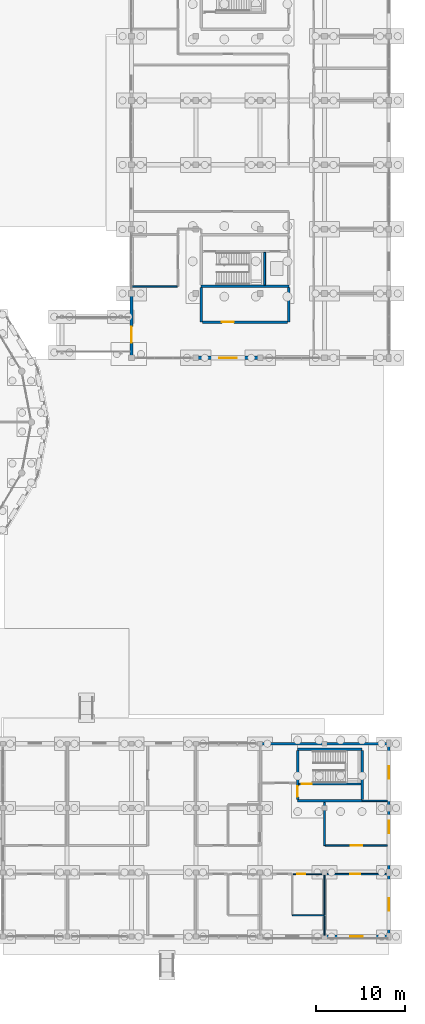
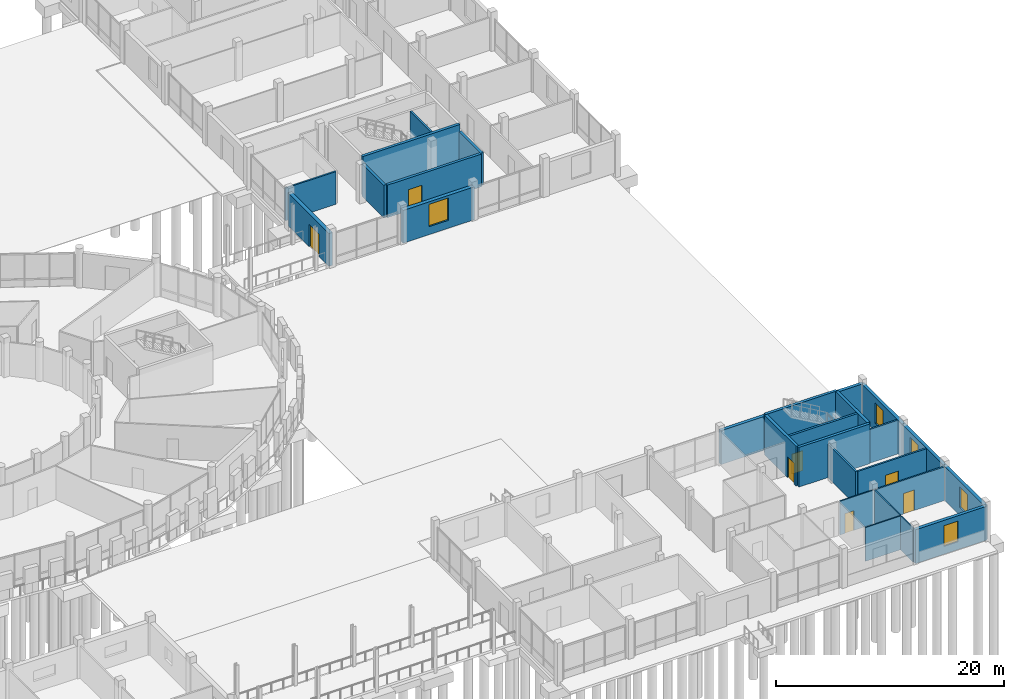
# One storey, part 83 of 98: 27 walls, 7 doors, 5 windows, 12 openings.
"""IFC4 building model written with IfcOpenShell, lengths in metres."""

import ifcopenshell
import ifcopenshell.guid

model = None  # the IFC model being written
_history = None  # IfcOwnerHistory: only IFC2X3 demands one
_inside = {}  # id of a spatial element -> (the spatial element, [elements in it])
_under = {}  # id of a project, library or spatial element -> (it, [spatial elements below it])
_declared = {}  # id of a project -> (the project, [libraries it declares])
_typed = {}  # id of a type object -> (the type object, [elements of that type])
_made_of = {}  # id of a material, layer set ... -> (it, [elements and type objects made of it])


def new_model(schema):
    """Start an empty IFC model of exactly this schema.

    Asked for "IFC4X3", IfcOpenShell would pick the latest addendum, in which some entities
    have other attributes; the version numbers below select the first issue.
    IFC2X3 requires an IfcOwnerHistory on every rooted entity: one is made here for all.
    """
    global model, _history
    if schema == "IFC4X3":
        model = ifcopenshell.file(schema_version=(4, 3, 0, 0))
    else:
        model = ifcopenshell.file(schema=schema)
    _inside.clear()
    _under.clear()
    _declared.clear()
    _typed.clear()
    _made_of.clear()
    _history = None
    if model.schema == "IFC2X3":
        org = make("IfcOrganization", Name="unknown")
        user = make(
            "IfcPersonAndOrganization",
            ThePerson=make("IfcPerson", FamilyName="unknown"),
            TheOrganization=org,
        )
        app = make(
            "IfcApplication",
            ApplicationDeveloper=org,
            Version="unknown",
            ApplicationFullName="unknown",
            ApplicationIdentifier="unknown",
        )
        _history = make(
            "IfcOwnerHistory",
            OwningUser=user,
            OwningApplication=app,
            ChangeAction="ADDED",
            CreationDate=0,
        )
    return model


def make(cls, **values):
    """One entity of the class cls with the attributes given. An attribute that is None is left unset."""
    return model.create_entity(
        cls, **{name: value for name, value in values.items() if value is not None}
    )


def rooted(cls, **values):
    """An entity with a GlobalId (a new one), such as an element, a storey or a relation."""
    return make(cls, GlobalId=ifcopenshell.guid.new(), OwnerHistory=_history, **values)


def si_unit(unit_type, name, prefix=None):
    """IfcSIUnit, for example si_unit("LENGTHUNIT", "METRE", prefix="MILLI")."""
    return make("IfcSIUnit", UnitType=unit_type, Prefix=prefix, Name=name)


def assignment(units):
    """IfcUnitAssignment: the units of a project."""
    return None if units is None else make("IfcUnitAssignment", Units=units)


def point(xyz):
    """IfcCartesianPoint."""
    return None if xyz is None else make("IfcCartesianPoint", Coordinates=xyz)


def direction(xyz):
    """IfcDirection."""
    return None if xyz is None else make("IfcDirection", DirectionRatios=xyz)


def frame(location, z_axis=None, x_axis=None):
    """IfcAxis2Placement3D, a coordinate frame: its origin and axes. An axis left out is left unset."""
    return make(
        "IfcAxis2Placement3D",
        Location=point(location),
        Axis=direction(z_axis),
        RefDirection=direction(x_axis),
    )


def frame_2d(location, x_axis=None):
    """IfcAxis2Placement2D, a coordinate frame in the plane: its origin and x axis."""
    return make(
        "IfcAxis2Placement2D", Location=point(location), RefDirection=direction(x_axis)
    )


def origin():
    """The frame at (0, 0, 0) with its axes left unset."""
    return frame((0.0, 0.0, 0.0))


def place(relative_to, where):
    """IfcLocalPlacement: puts the frame where relative to a parent placement (None: the world)."""
    return make(
        "IfcLocalPlacement", PlacementRelTo=relative_to, RelativePlacement=where
    )


def context(
    kind, dimensions, precision=None, world=None, true_north=None, identifier=None
):
    """IfcGeometricRepresentationContext, for example the 3D "Model" context."""
    return make(
        "IfcGeometricRepresentationContext",
        ContextIdentifier=identifier,
        ContextType=kind,
        CoordinateSpaceDimension=dimensions,
        Precision=precision,
        WorldCoordinateSystem=world,
        TrueNorth=true_north,
    )


def subcontext(parent, identifier, kind, view, scale=None):
    """IfcGeometricRepresentationSubContext, for example "Body" below "Model"."""
    return make(
        "IfcGeometricRepresentationSubContext",
        ContextIdentifier=identifier,
        ContextType=kind,
        ParentContext=parent,
        TargetScale=scale,
        TargetView=view,
    )


def project(units=None, contexts=None):
    """IfcProject with its units and contexts."""
    return rooted(
        "IfcProject",
        Name="project",
        RepresentationContexts=contexts,
        UnitsInContext=assignment(units),
    )


def spatial(cls, under=None, at=None, **own):
    """A site, building, storey or space (cls), placed at a placement, below another one or the project."""
    s = rooted(cls, ObjectPlacement=at, **own)
    if under is not None:
        _under.setdefault(under.id(), (under, []))[1].append(s)
    return s


def profile(cls, at=None, kind="AREA", **sizes):
    """A parametric profile (cls). Its sizes go by their IFC names, for example OverallWidth=200.0."""
    return make(cls, ProfileType=kind, Position=at, **sizes)


def rectangle(**sizes):
    """IfcRectangleProfileDef."""
    return profile("IfcRectangleProfileDef", **sizes)


def extrude(swept, where, along, depth):
    """IfcExtrudedAreaSolid: the profile swept, set in the frame where, extruded along a direction by depth."""
    return make(
        "IfcExtrudedAreaSolid",
        SweptArea=swept,
        Position=where,
        ExtrudedDirection=direction(along),
        Depth=depth,
    )


def shape(context_of_items, identifier, shape_type, items):
    """IfcShapeRepresentation: the items that make up one representation, for example the "Body"."""
    return make(
        "IfcShapeRepresentation",
        ContextOfItems=context_of_items,
        RepresentationIdentifier=identifier,
        RepresentationType=shape_type,
        Items=items,
    )


def material(Name=None, Category=None):
    """IfcMaterial."""
    return make("IfcMaterial", Name=Name, Category=Category)


def layer(
    of_material, thickness, ventilated=None, Name=None, Category=None, Priority=None
):
    """IfcMaterialLayer: one layer of a wall or slab, of a material (None: an air gap)."""
    return make(
        "IfcMaterialLayer",
        Material=of_material,
        LayerThickness=thickness,
        IsVentilated=ventilated,
        Name=Name,
        Category=Category,
        Priority=Priority,
    )


def layer_set(layers, Name=None):
    """IfcMaterialLayerSet."""
    return make("IfcMaterialLayerSet", MaterialLayers=layers, LayerSetName=Name)


def made_of(thing, what):
    """Note that an element or type object is made of a material, layer set ...; save() writes the relation."""
    if what is not None:
        _made_of.setdefault(what.id(), (what, []))[1].append(thing)
    return thing


def type_object(cls, material=None, **own):
    """A type object (cls), such as IfcWallType, which elements share."""
    return made_of(rooted(cls, **own), material)


def element(
    cls,
    number,
    at=None,
    inside=None,
    cuts=None,
    type_object=None,
    material=None,
    context=None,
    identifier="Body",
    shape_type=None,
    held_by="IfcProductDefinitionShape",
    body=None,
    shapes=None,
    **own,
):
    """One element of the class cls, such as IfcWall. Its Tag is "e" and its number.

    at: its placement. inside: the storey or other place that contains it. cuts: it is an
    opening in that element (IfcRelVoidsElement). A single representation is given by context,
    identifier, shape_type and body (its items); several are given by shapes. held_by: the class
    of the entity that holds the representations. save() writes the other relations.
    """
    e = rooted(cls, Tag="e%d" % number, ObjectPlacement=at, **own)
    if body is not None:
        shapes = [shape(context, identifier, shape_type, body)]
    if shapes is not None:
        e.Representation = make(held_by, Representations=shapes)
    if inside is not None:
        _inside.setdefault(inside.id(), (inside, []))[1].append(e)
    if cuts is not None:
        rooted(
            "IfcRelVoidsElement", RelatingBuildingElement=cuts, RelatedOpeningElement=e
        )
    if type_object is not None:
        _typed.setdefault(type_object.id(), (type_object, []))[1].append(e)
    return made_of(e, material)


def fill(opening, filler):
    """IfcRelFillsElement: the door or window that sits in an opening."""
    return rooted(
        "IfcRelFillsElement",
        RelatingOpeningElement=opening,
        RelatedBuildingElement=filler,
    )


def aggregate(whole, parts):
    """IfcRelAggregates: a whole, such as a stair, and the parts it consists of."""
    return rooted("IfcRelAggregates", RelatingObject=whole, RelatedObjects=parts)


def save(model, path):
    """Write the relations noted so far, then the file.

    IfcRelAggregates (storeys below a building ...), IfcRelContainedInSpatialStructure (elements
    in a storey), IfcRelDefinesByType, IfcRelAssociatesMaterial and IfcRelDeclares: one each for
    every whole, place, type object, material and project.
    """
    for whole, parts in _under.values():
        aggregate(whole, parts)
    for where, things in _inside.values():
        rooted(
            "IfcRelContainedInSpatialStructure",
            RelatedElements=things,
            RelatingStructure=where,
        )
    for kind, things in _typed.values():
        rooted("IfcRelDefinesByType", RelatedObjects=things, RelatingType=kind)
    for what, things in _made_of.values():
        rooted("IfcRelAssociatesMaterial", RelatedObjects=things, RelatingMaterial=what)
    for by, libraries in _declared.values():
        rooted("IfcRelDeclares", RelatingContext=by, RelatedDefinitions=libraries)
    model.write(path)


model = new_model("IFC4")

# Units and contexts
model_context = context("Model", 3, precision=1e-05, world=origin(), true_north=direction((0.0, 1.0)))
body_context = subcontext(model_context, "Body", "Model", "MODEL_VIEW")
ifc_project = project(units=[si_unit("LENGTHUNIT", "METRE"), si_unit("AREAUNIT", "SQUARE_METRE"), si_unit("VOLUMEUNIT", "CUBIC_METRE"), si_unit("PLANEANGLEUNIT", "RADIAN"), si_unit("MASSUNIT", "GRAM", prefix="KILO")], contexts=[model_context])

# Site, building, storey
site_placement = place(None, origin())
site = spatial("IfcSite", under=ifc_project, at=site_placement, CompositionType="ELEMENT")
building_placement = place(site_placement, origin())
building = spatial("IfcBuilding", under=site, at=building_placement, Name="Zornivar Specialist Clinic", CompositionType="ELEMENT")
storey_placement = place(building_placement, origin())
storey = spatial("IfcBuildingStorey", under=building, at=storey_placement, Name="L00", CompositionType="ELEMENT", Elevation=0.0)

# Wall, opening, window
ifc_material_1 = material(Name="Masonry Vratsa Limestone and Brick Banded Wall", Category="masonry")
ifc_layer_1 = layer(ifc_material_1, 0.3798828125)
ifc_layer_set_1 = layer_set([ifc_layer_1], Name="Masonry Vratsa Limestone and Brick Banded Wall")
wall_type_1 = type_object("IfcWallType", Name="EW-LIMESTONE-380", PredefinedType="SOLIDWALL", material=ifc_layer_set_1)
wall_1_placement = place(storey_placement, frame((144.0, 64.800048828125, 0.0), z_axis=(0.0, 0.0, 1.0), x_axis=(1.0, 0.0, 0.0)))
wall_1 = element("IfcWall", 1, at=wall_1_placement, inside=storey, type_object=wall_type_1, Name="ew:V6:L00:01", PredefinedType="SOLIDWALL", context=body_context, shape_type="SweptSolid", body=[
    extrude(rectangle(XDim=7.199951171875, YDim=0.3798828125, at=frame_2d((3.60009765625, 0.0))), origin(), (0.0, 0.0, 1.0), 3.510009765625),
])
opening_1_placement = place(wall_1_placement, frame((2.625, 0.0, 0.85009765625)))
opening_1 = element("IfcOpeningElement", 2, at=opening_1_placement, cuts=wall_1, Name="Opening W-19", PredefinedType="OPENING", context=body_context, shape_type="SweptSolid", body=[
    extrude(rectangle(XDim=1.949951171875, YDim=2.39990234375, at=frame_2d((0.97509765625, 1.199951171875))), frame((0.0, 0.199951171875, 0.0), z_axis=(0.0, -1.0, 0.0), x_axis=(1.0, 0.0, 0.0)), (0.0, 0.0, 1.0), 0.39990234375),
])
ifc_material_2 = material(Name="Triple-Glazed Aluminium-Timber Window Glass", Category="wood")
window_type_1 = type_object("IfcWindowType", Name="WIN-TEACH-GND-1950x2400", PartitioningType="SINGLE_PANEL", PredefinedType="WINDOW", material=ifc_material_2)
window_1_placement = place(opening_1_placement, origin())
window_1 = element("IfcWindow", 3, at=window_1_placement, inside=storey, type_object=window_type_1, Name="win:V6:L00:01", OverallHeight=2.39990234375, OverallWidth=1.949951171875, PartitioningType="SINGLE_PANEL", PredefinedType="WINDOW", context=body_context, shape_type="SweptSolid", body=[
    extrude(rectangle(XDim=1.949951171875, YDim=2.39990234375, at=frame_2d((0.97509765625, 1.199951171875))), frame((0.0, 0.030029296875, 0.0), z_axis=(0.0, -1.0, 0.0), x_axis=(1.0, 0.0, 0.0)), (0.0, 0.0, 1.0), 0.06005859375),
])
fill(opening_1, window_1)

# Wall, opening, door
wall_2_placement = place(storey_placement, frame((136.800048828125, 72.0, 0.0), z_axis=(0.0, 0.0, 1.0), x_axis=(0.0, -1.0, 0.0)))
wall_2 = element("IfcWall", 4, at=wall_2_placement, inside=storey, type_object=wall_type_1, Name="ew:V6:L00:21", PredefinedType="SOLIDWALL", context=body_context, shape_type="SweptSolid", body=[
    extrude(rectangle(XDim=7.199951171875, YDim=0.3798828125, at=frame_2d((3.60009765625, 0.0))), origin(), (0.0, 0.0, 1.0), 3.510009765625),
])
opening_2_placement = place(wall_2_placement, frame((3.699951171875, 0.0, 0.0)))
opening_2 = element("IfcOpeningElement", 5, at=opening_2_placement, cuts=wall_2, Name="Opening ED-03", PredefinedType="OPENING", context=body_context, shape_type="SweptSolid", body=[
    extrude(rectangle(XDim=1.800048828125, YDim=2.39990234375, at=frame_2d((0.89990234375, 1.199951171875))), frame((0.0, 0.199951171875, 0.0), z_axis=(0.0, -1.0, 0.0), x_axis=(1.0, 0.0, 0.0)), (0.0, 0.0, 1.0), 0.39990234375),
])
ifc_material_3 = material(Name="Thermally Broken Glazed Aluminium Door", Category="aluminium")
door_type_1 = type_object("IfcDoorType", Name="ED-ENTRY-1800x2400", OperationType="NOTDEFINED", PredefinedType="DOOR", material=ifc_material_3)
door_1_placement = place(opening_2_placement, origin())
door_1 = element("IfcDoor", 6, at=door_1_placement, inside=storey, type_object=door_type_1, Name="door:V6:L00:br3", OperationType="DOUBLE_DOOR_SINGLE_SWING", OverallHeight=2.39990234375, OverallWidth=1.800048828125, PredefinedType="DOOR", context=body_context, shape_type="SweptSolid", body=[
    extrude(rectangle(XDim=1.800048828125, YDim=2.39990234375, at=frame_2d((0.89990234375, 1.199951171875))), frame((0.0, 0.02490234375, 0.0), z_axis=(0.0, -1.0, 0.0), x_axis=(1.0, 0.0, 0.0)), (0.0, 0.0, 1.0), 0.050048828125),
])
fill(opening_2, door_1)

# Wall, opening, window
ifc_material_4 = material(Name="Masonry Healing Pavilion Coursed Limestone Wall", Category="masonry")
ifc_layer_2 = layer(ifc_material_4, 0.320068359375)
ifc_layer_set_2 = layer_set([ifc_layer_2], Name="Masonry Healing Pavilion Coursed Limestone Wall")
wall_type_2 = type_object("IfcWallType", Name="EW-PAV-320", PredefinedType="SOLIDWALL", material=ifc_layer_set_2)
wall_3_placement = place(storey_placement, frame((158.39990234375, 0.0, 0.0), z_axis=(0.0, 0.0, 1.0), x_axis=(1.0, 0.0, 0.0)))
wall_3 = element("IfcWall", 7, at=wall_3_placement, inside=storey, type_object=wall_type_2, Name="ew:V4:L00:05", PredefinedType="SOLIDWALL", context=body_context, shape_type="SweptSolid", body=[
    extrude(rectangle(XDim=7.2001953125, YDim=0.320068359375, at=frame_2d((3.60009765625, 0.0))), origin(), (0.0, 0.0, 1.0), 3.6201171875),
])
opening_3_placement = place(wall_3_placement, frame((2.89990234375, 0.0, 0.85009765625)))
opening_3 = element("IfcOpeningElement", 8, at=opening_3_placement, cuts=wall_3, Name="Opening W-15", PredefinedType="OPENING", context=body_context, shape_type="SweptSolid", body=[
    extrude(rectangle(XDim=1.39990234375, YDim=2.199951171875, at=frame_2d((0.699951171875, 1.10009765625))), frame((0.0, 0.169921875, 0.0), z_axis=(0.0, -1.0, 0.0), x_axis=(1.0, 0.0, 0.0)), (0.0, 0.0, 1.0), 0.340087890625),
])
ifc_material_5 = material(Name="Triple-Glazed Aluminium-Timber Window Glass", Category="wood")
window_type_2 = type_object("IfcWindowType", Name="WIN-PAV-GARDEN-1400x2200", PartitioningType="SINGLE_PANEL", PredefinedType="WINDOW", material=ifc_material_5)
window_2_placement = place(opening_3_placement, origin())
window_2 = element("IfcWindow", 9, at=window_2_placement, inside=storey, type_object=window_type_2, Name="win:V4:L00:05", OverallHeight=2.199951171875, OverallWidth=1.39990234375, PartitioningType="SINGLE_PANEL", PredefinedType="WINDOW", context=body_context, shape_type="SweptSolid", body=[
    extrude(rectangle(XDim=1.39990234375, YDim=2.199951171875, at=frame_2d((0.699951171875, 1.10009765625))), frame((0.0, 0.030029296875, 0.0), z_axis=(0.0, -1.0, 0.0), x_axis=(1.0, 0.0, 0.0)), (0.0, 0.0, 1.0), 0.06005859375),
])
fill(opening_3, window_2)

wall_4_placement = place(storey_placement, frame((165.60009765625, 0.0, 0.0), z_axis=(0.0, 0.0, 1.0), x_axis=(0.0, 1.0, 0.0)))
wall_4 = element("IfcWall", 10, at=wall_4_placement, inside=storey, type_object=wall_type_2, Name="ew:V4:L00:06", PredefinedType="SOLIDWALL", context=body_context, shape_type="SweptSolid", body=[
    extrude(rectangle(XDim=7.199951171875, YDim=0.320068359375, at=frame_2d((3.60009765625, 0.0))), origin(), (0.0, 0.0, 1.0), 3.6201171875),
])
opening_4_placement = place(wall_4_placement, frame((2.89990234375, 0.0, 0.85009765625)))
opening_4 = element("IfcOpeningElement", 11, at=opening_4_placement, cuts=wall_4, Name="Opening W-15", PredefinedType="OPENING", context=body_context, shape_type="SweptSolid", body=[
    extrude(rectangle(XDim=1.39990234375, YDim=2.199951171875, at=frame_2d((0.699951171875, 1.10009765625))), frame((0.0, 0.169921875, 0.0), z_axis=(0.0, -1.0, 0.0), x_axis=(1.0, 0.0, 0.0)), (0.0, 0.0, 1.0), 0.340087890625),
])
window_3_placement = place(opening_4_placement, origin())
window_3 = element("IfcWindow", 12, at=window_3_placement, inside=storey, type_object=window_type_2, Name="win:V4:L00:06", OverallHeight=2.199951171875, OverallWidth=1.39990234375, PartitioningType="SINGLE_PANEL", PredefinedType="WINDOW", context=body_context, shape_type="SweptSolid", body=[
    extrude(rectangle(XDim=1.39990234375, YDim=2.199951171875, at=frame_2d((0.699951171875, 1.10009765625))), frame((0.0, 0.030029296875, 0.0), z_axis=(0.0, -1.0, 0.0), x_axis=(1.0, 0.0, 0.0)), (0.0, 0.0, 1.0), 0.06005859375),
])
fill(opening_4, window_3)

wall_5_placement = place(storey_placement, frame((165.60009765625, 7.199951171875, 0.0), z_axis=(0.0, 0.0, 1.0), x_axis=(0.0, 1.0, 0.0)))
wall_5 = element("IfcWall", 13, at=wall_5_placement, inside=storey, type_object=wall_type_2, Name="ew:V4:L00:07", PredefinedType="SOLIDWALL", context=body_context, shape_type="SweptSolid", body=[
    extrude(rectangle(XDim=7.199951171875, YDim=0.320068359375, at=frame_2d((3.60009765625, 0.0))), origin(), (0.0, 0.0, 1.0), 3.6201171875),
])
opening_5_placement = place(wall_5_placement, frame((4.39990234375, 0.0, 0.85009765625)))
opening_5 = element("IfcOpeningElement", 14, at=opening_5_placement, cuts=wall_5, Name="Opening W-15", PredefinedType="OPENING", context=body_context, shape_type="SweptSolid", body=[
    extrude(rectangle(XDim=1.39990234375, YDim=2.199951171875, at=frame_2d((0.699951171875, 1.10009765625))), frame((0.0, 0.169921875, 0.0), z_axis=(0.0, -1.0, 0.0), x_axis=(1.0, 0.0, 0.0)), (0.0, 0.0, 1.0), 0.340087890625),
])
window_4_placement = place(opening_5_placement, origin())
window_4 = element("IfcWindow", 15, at=window_4_placement, inside=storey, type_object=window_type_2, Name="win:V4:L00:07", OverallHeight=2.199951171875, OverallWidth=1.39990234375, PartitioningType="SINGLE_PANEL", PredefinedType="WINDOW", context=body_context, shape_type="SweptSolid", body=[
    extrude(rectangle(XDim=1.39990234375, YDim=2.199951171875, at=frame_2d((0.699951171875, 1.10009765625))), frame((0.0, 0.030029296875, 0.0), z_axis=(0.0, -1.0, 0.0), x_axis=(1.0, 0.0, 0.0)), (0.0, 0.0, 1.0), 0.06005859375),
])
fill(opening_5, window_4)

wall_6_placement = place(storey_placement, frame((165.60009765625, 14.39990234375, 0.0), z_axis=(0.0, 0.0, 1.0), x_axis=(0.0, 1.0, 0.0)))
wall_6 = element("IfcWall", 16, at=wall_6_placement, inside=storey, type_object=wall_type_2, Name="ew:V4:L00:08", PredefinedType="SOLIDWALL", context=body_context, shape_type="SweptSolid", body=[
    extrude(rectangle(XDim=7.2001953125, YDim=0.320068359375, at=frame_2d((3.60009765625, 0.0))), origin(), (0.0, 0.0, 1.0), 3.6201171875),
])
opening_6_placement = place(wall_6_placement, frame((3.300048828125, 0.0, 0.85009765625)))
opening_6 = element("IfcOpeningElement", 17, at=opening_6_placement, cuts=wall_6, Name="Opening W-15", PredefinedType="OPENING", context=body_context, shape_type="SweptSolid", body=[
    extrude(rectangle(XDim=1.39990234375, YDim=2.199951171875, at=frame_2d((0.699951171875, 1.10009765625))), frame((0.0, 0.169921875, 0.0), z_axis=(0.0, -1.0, 0.0), x_axis=(1.0, 0.0, 0.0)), (0.0, 0.0, 1.0), 0.340087890625),
])
window_5_placement = place(opening_6_placement, origin())
window_5 = element("IfcWindow", 18, at=window_5_placement, inside=storey, type_object=window_type_2, Name="win:V4:L00:08", OverallHeight=2.199951171875, OverallWidth=1.39990234375, PartitioningType="SINGLE_PANEL", PredefinedType="WINDOW", context=body_context, shape_type="SweptSolid", body=[
    extrude(rectangle(XDim=1.39990234375, YDim=2.199951171875, at=frame_2d((0.699951171875, 1.10009765625))), frame((0.0, 0.030029296875, 0.0), z_axis=(0.0, -1.0, 0.0), x_axis=(1.0, 0.0, 0.0)), (0.0, 0.0, 1.0), 0.06005859375),
])
fill(opening_6, window_5)

# Walls
wall_7_placement = place(storey_placement, frame((165.60009765625, 21.60009765625, 0.0), z_axis=(0.0, 0.0, 1.0), x_axis=(-1.0, 0.0, 0.0)))
element("IfcWall", 19, at=wall_7_placement, inside=storey, type_object=wall_type_2, Name="ew:V4:L00:09", PredefinedType="SOLIDWALL", context=body_context, shape_type="SweptSolid", body=[
    extrude(rectangle(XDim=7.2001953125, YDim=0.320068359375, at=frame_2d((3.60009765625, 0.0))), origin(), (0.0, 0.0, 1.0), 3.6201171875),
])
wall_8_placement = place(storey_placement, frame((158.39990234375, 21.60009765625, 0.0), z_axis=(0.0, 0.0, 1.0), x_axis=(-1.0, 0.0, 0.0)))
element("IfcWall", 20, at=wall_8_placement, inside=storey, type_object=wall_type_2, Name="ew:V4:L00:10", PredefinedType="SOLIDWALL", context=body_context, shape_type="SweptSolid", body=[
    extrude(rectangle(XDim=7.199951171875, YDim=0.320068359375, at=frame_2d((3.60009765625, 0.0))), origin(), (0.0, 0.0, 1.0), 3.6201171875),
])
ifc_material_6 = material(Name="High-Mass Acoustic Auditorium and Audiometry Partition")
ifc_layer_3 = layer(ifc_material_6, 0.27001953125)
ifc_layer_set_3 = layer_set([ifc_layer_3], Name="High-Mass Acoustic Auditorium and Audiometry Partition")
wall_type_3 = type_object("IfcWallType", Name="IW-ACOUSTIC-AUD-270", PredefinedType="PARTITIONING", material=ifc_layer_set_3)
for number, where, z_axis, x_axis, name in (
    (21, (144.60009765625, 68.800048828125, 0.0), (0.0, 0.0, 1.0), (0.0, 1.0, 0.0), "iw:L00:197"),
    (22, (154.39990234375, 72.64501953125, 0.0), (0.0, 0.0, 1.0), (0.0, -1.0, 0.0), "iw:L00:198"),
):
    element("IfcWall", number, at=place(storey_placement, frame(where, z_axis=z_axis, x_axis=x_axis)), inside=storey, type_object=wall_type_3, Name=name, PredefinedType="PARTITIONING", context=body_context, shape_type="SweptSolid", body=[
        extrude(rectangle(XDim=3.844970703125, YDim=0.27001953125, at=frame_2d((1.92236328125, 0.0))), origin(), (0.0, 0.0, 1.0), 3.489990234375),
    ])

# Wall, opening, door
wall_9_placement = place(storey_placement, frame((154.2509765625, 68.800048828125, 0.0), z_axis=(0.0, 0.0, 1.0), x_axis=(-1.0, 0.0, 0.0)))
wall_9 = element("IfcWall", 23, at=wall_9_placement, inside=storey, type_object=wall_type_3, Name="iw:L00:199", PredefinedType="PARTITIONING", context=body_context, shape_type="SweptSolid", body=[
    extrude(rectangle(XDim=9.501953125, YDim=0.27001953125, at=frame_2d((4.7509765625, 0.0))), origin(), (0.0, 0.0, 1.0), 3.489990234375),
])
opening_7_placement = place(wall_9_placement, frame((5.993896484375, 0.0, 0.0)))
opening_7 = element("IfcOpeningElement", 24, at=opening_7_placement, cuts=wall_9, Name="Opening ID-10", PredefinedType="OPENING", context=body_context, shape_type="SweptSolid", body=[
    extrude(rectangle(XDim=1.35009765625, YDim=2.25, at=frame_2d((0.675048828125, 1.125))), frame((0.0, 0.14501953125, 0.0), z_axis=(0.0, -1.0, 0.0), x_axis=(1.0, 0.0, 0.0)), (0.0, 0.0, 1.0), 0.2900390625),
])
ifc_material_7 = material(Name="Solid-Core Hygienic Laminate Timber Door", Category="wood")
door_type_2 = type_object("IfcDoorType", Name="ID-TEACH-1350x2250", OperationType="NOTDEFINED", PredefinedType="DOOR", material=ifc_material_7)
door_2_placement = place(opening_7_placement, origin())
door_2 = element("IfcDoor", 25, at=door_2_placement, inside=storey, type_object=door_type_2, Name="door:space:V6:L00:rm:00", OperationType="SINGLE_SWING_RIGHT", OverallHeight=2.25, OverallWidth=1.35009765625, PredefinedType="DOOR", context=body_context, shape_type="SweptSolid", body=[
    extrude(rectangle(XDim=1.35009765625, YDim=2.25, at=frame_2d((0.675048828125, 1.125))), frame((0.0, 0.02490234375, 0.0), z_axis=(0.0, -1.0, 0.0), x_axis=(1.0, 0.0, 0.0)), (0.0, 0.0, 1.0), 0.050048828125),
])
fill(opening_7, door_2)

# Walls
ifc_material_8 = material(Name="Acoustic Clinical Stud Partition")
ifc_layer_4 = layer(ifc_material_8, 0.139892578125)
ifc_layer_set_4 = layer_set([ifc_layer_4], Name="Acoustic Clinical Stud Partition")
wall_type_4 = type_object("IfcWallType", Name="IW-CLIN-140", PredefinedType="PARTITIONING", material=ifc_layer_set_4)
wall_10_placement = place(storey_placement, frame((158.39990234375, 2.321044921875, 0.0), z_axis=(0.0, 0.0, 1.0), x_axis=(0.0, -1.0, 0.0)))
element("IfcWall", 26, at=wall_10_placement, inside=storey, type_object=wall_type_4, Name="iw:L00:166", PredefinedType="PARTITIONING", context=body_context, shape_type="SweptSolid", body=[
    extrude(rectangle(XDim=2.14599609375, YDim=0.139892578125, at=frame_2d((1.072998046875, 0.0))), origin(), (0.0, 0.0, 1.0), 3.60009765625),
])
ifc_material_9 = material(Name="Fire-Compartment Shaft-Liner Partition")
ifc_layer_5 = layer(ifc_material_9, 0.179931640625)
ifc_layer_set_5 = layer_set([ifc_layer_5], Name="Fire-Compartment Shaft-Liner Partition")
wall_type_5 = type_object("IfcWallType", Name="IW-COMP-EI90-180", PredefinedType="PARTITIONING", material=ifc_layer_set_5)
wall_11_placement = place(storey_placement, frame((158.39990234375, 10.199951171875, 0.0), z_axis=(0.0, 0.0, 1.0), x_axis=(0.0, 1.0, 0.0)))
element("IfcWall", 27, at=wall_11_placement, inside=storey, type_object=wall_type_5, Name="iw:L00:170", PredefinedType="PARTITIONING", context=body_context, shape_type="SweptSolid", body=[
    extrude(rectangle(XDim=4.844970703125, YDim=0.179931640625, at=frame_2d((2.42236328125, 0.0))), origin(), (0.0, 0.0, 1.0), 3.60009765625),
])
wall_12_placement = place(storey_placement, frame((162.60009765625, 15.199951171875, 0.0), z_axis=(0.0, 0.0, 1.0), x_axis=(1.0, 0.0, 0.0)))
element("IfcWall", 28, at=wall_12_placement, inside=storey, type_object=wall_type_5, Name="iw:L00:171", PredefinedType="PARTITIONING", context=body_context, shape_type="SweptSolid", body=[
    extrude(rectangle(XDim=2.824951171875, YDim=0.179931640625, at=frame_2d((1.41259765625, 0.0))), origin(), (0.0, 0.0, 1.0), 3.60009765625),
])

# Wall, opening, door
wall_13_placement = place(storey_placement, frame((165.425048828125, 10.199951171875, 0.0), z_axis=(0.0, 0.0, 1.0), x_axis=(-1.0, 0.0, 0.0)))
wall_13 = element("IfcWall", 29, at=wall_13_placement, inside=storey, type_object=wall_type_5, Name="iw:L00:172", PredefinedType="PARTITIONING", context=body_context, shape_type="SweptSolid", body=[
    extrude(rectangle(XDim=6.921142578125, YDim=0.179931640625, at=frame_2d((3.46044921875, 0.0))), origin(), (0.0, 0.0, 1.0), 3.60009765625),
])
opening_8_placement = place(wall_13_placement, frame((2.81103515625, 0.0, 0.0)))
opening_8 = element("IfcOpeningElement", 30, at=opening_8_placement, cuts=wall_13, Name="Opening FD-05", PredefinedType="OPENING", context=body_context, shape_type="SweptSolid", body=[
    extrude(rectangle(XDim=1.300048828125, YDim=2.199951171875, at=frame_2d((0.64990234375, 1.10009765625))), frame((0.0, 0.099853515625, 0.0), z_axis=(0.0, -1.0, 0.0), x_axis=(1.0, 0.0, 0.0)), (0.0, 0.0, 1.0), 0.199951171875),
])
ifc_material_10 = material(Name="Solid-Core Hygienic Laminate Timber Door", Category="wood")
door_type_3 = type_object("IfcDoorType", Name="FD-PLANT-1300x2200", OperationType="NOTDEFINED", PredefinedType="DOOR", material=ifc_material_10)
door_3_placement = place(opening_8_placement, origin())
door_3 = element("IfcDoor", 31, at=door_3_placement, inside=storey, type_object=door_type_3, Name="door:space:V4:L00:rm:12", OperationType="SINGLE_SWING_LEFT", OverallHeight=2.199951171875, OverallWidth=1.300048828125, PredefinedType="DOOR", context=body_context, shape_type="SweptSolid", body=[
    extrude(rectangle(XDim=1.300048828125, YDim=2.199951171875, at=frame_2d((0.64990234375, 1.10009765625))), frame((0.0, 0.02490234375, 0.0), z_axis=(0.0, -1.0, 0.0), x_axis=(1.0, 0.0, 0.0)), (0.0, 0.0, 1.0), 0.050048828125),
])
fill(opening_8, door_3)

ifc_material_11 = material(Name="Gypsum Fire-Rated Double Stud Partition")
ifc_layer_6 = layer(ifc_material_11, 0.159912109375)
ifc_layer_set_6 = layer_set([ifc_layer_6], Name="Gypsum Fire-Rated Double Stud Partition")
wall_type_6 = type_object("IfcWallType", Name="IW-CORR-EI60-160", PredefinedType="PARTITIONING", material=ifc_layer_set_6)
wall_14_placement = place(storey_placement, frame((158.47900390625, 7.0, 0.0), z_axis=(0.0, 0.0, 1.0), x_axis=(1.0, 0.0, 0.0)))
wall_14 = element("IfcWall", 32, at=wall_14_placement, inside=storey, type_object=wall_type_6, Name="iw:L00:169", PredefinedType="PARTITIONING", context=body_context, shape_type="SweptSolid", body=[
    extrude(rectangle(XDim=6.946044921875, YDim=0.159912109375, at=frame_2d((3.47314453125, 0.0))), origin(), (0.0, 0.0, 1.0), 3.60009765625),
])
opening_9_placement = place(wall_14_placement, frame((2.806884765625, 0.0, 0.0)))
opening_9 = element("IfcOpeningElement", 33, at=opening_9_placement, cuts=wall_14, Name="Opening ID-05", PredefinedType="OPENING", context=body_context, shape_type="SweptSolid", body=[
    extrude(rectangle(XDim=1.10009765625, YDim=2.199951171875, at=frame_2d((0.550048828125, 1.10009765625))), frame((0.0, 0.08984375, 0.0), z_axis=(0.0, -1.0, 0.0), x_axis=(1.0, 0.0, 0.0)), (0.0, 0.0, 1.0), 0.179931640625),
])
ifc_material_12 = material(Name="Solid-Core Hygienic Laminate Timber Door", Category="wood")
door_type_4 = type_object("IfcDoorType", Name="ID-THER-1100x2200", OperationType="NOTDEFINED", PredefinedType="DOOR", material=ifc_material_12)
door_4_placement = place(opening_9_placement, frame((1.10009765625, 0.0, 0.0), z_axis=(0.0, 0.0, 1.0), x_axis=(-1.0, 0.0, 0.0)))
door_4 = element("IfcDoor", 34, at=door_4_placement, inside=storey, type_object=door_type_4, Name="door:space:V4:L00:rm:11", OperationType="SINGLE_SWING_RIGHT", OverallHeight=2.199951171875, OverallWidth=1.10009765625, PredefinedType="DOOR", context=body_context, shape_type="SweptSolid", body=[
    extrude(rectangle(XDim=1.10009765625, YDim=2.199951171875, at=frame_2d((0.550048828125, 1.10009765625))), frame((0.0, 0.02490234375, 0.0), z_axis=(0.0, -1.0, 0.0), x_axis=(1.0, 0.0, 0.0)), (0.0, 0.0, 1.0), 0.050048828125),
])
fill(opening_9, door_4)

# Walls
ifc_material_13 = material(Name="Laboratory Chemical-Resistant Stud Partition")
ifc_layer_7 = layer(ifc_material_13, 0.169921875)
ifc_layer_set_7 = layer_set([ifc_layer_7], Name="Laboratory Chemical-Resistant Stud Partition")
wall_type_7 = type_object("IfcWallType", Name="IW-LAB-EI60-170", PredefinedType="PARTITIONING", material=ifc_layer_set_7)
wall_15_placement = place(storey_placement, frame((141.906005859375, 72.800048828125, 0.0), z_axis=(0.0, 0.0, 1.0), x_axis=(-1.0, 0.0, 0.0)))
element("IfcWall", 35, at=wall_15_placement, inside=storey, type_object=wall_type_7, Name="iw:L00:202", PredefinedType="PARTITIONING", context=body_context, shape_type="SweptSolid", body=[
    extrude(rectangle(XDim=5.10595703125, YDim=0.169921875, at=frame_2d((2.552978515625, 0.0))), origin(), (0.0, 0.0, 1.0), 3.489990234375),
])
ifc_material_14 = material(Name="Moisture-Resistant Sanitary Partition")
ifc_layer_8 = layer(ifc_material_14, 0.1298828125)
ifc_layer_set_8 = layer_set([ifc_layer_8], Name="Moisture-Resistant Sanitary Partition")
wall_type_8 = type_object("IfcWallType", Name="IW-WET-130", PredefinedType="PARTITIONING", material=ifc_layer_set_8)
wall_16_placement = place(storey_placement, frame((158.39990234375, 2.39990234375, 0.0), z_axis=(0.0, 0.0, 1.0), x_axis=(-1.0, 0.0, 0.0)))
element("IfcWall", 36, at=wall_16_placement, inside=storey, type_object=wall_type_8, Name="iw:L00:162", PredefinedType="PARTITIONING", context=body_context, shape_type="SweptSolid", body=[
    extrude(rectangle(XDim=3.599853515625, YDim=0.1298828125, at=frame_2d((1.7998046875, 0.0))), origin(), (0.0, 0.0, 1.0), 3.60009765625),
])

# Wall, opening, door
wall_17_placement = place(storey_placement, frame((154.87890625, 7.0, 0.0), z_axis=(0.0, 0.0, 1.0), x_axis=(1.0, 0.0, 0.0)))
wall_17 = element("IfcWall", 37, at=wall_17_placement, inside=storey, type_object=wall_type_8, Name="iw:L00:164", PredefinedType="PARTITIONING", context=body_context, shape_type="SweptSolid", body=[
    extrude(rectangle(XDim=3.52099609375, YDim=0.1298828125, at=frame_2d((1.760498046875, 0.0))), origin(), (0.0, 0.0, 1.0), 3.60009765625),
])
opening_10_placement = place(wall_17_placement, frame((0.47998046875, 0.0, 0.0)))
opening_10 = element("IfcOpeningElement", 38, at=opening_10_placement, cuts=wall_17, Name="Opening ID-08", PredefinedType="OPENING", context=body_context, shape_type="SweptSolid", body=[
    extrude(rectangle(XDim=0.89990234375, YDim=2.10009765625, at=frame_2d((0.449951171875, 1.050048828125))), frame((0.0, 0.074951171875, 0.0), z_axis=(0.0, -1.0, 0.0), x_axis=(1.0, 0.0, 0.0)), (0.0, 0.0, 1.0), 0.14990234375),
])
ifc_material_15 = material(Name="Solid-Core Hygienic Laminate Timber Door", Category="wood")
door_type_5 = type_object("IfcDoorType", Name="ID-WC-STD-0900x2100", OperationType="NOTDEFINED", PredefinedType="DOOR", material=ifc_material_15)
door_5_placement = place(opening_10_placement, origin())
door_5 = element("IfcDoor", 39, at=door_5_placement, inside=storey, type_object=door_type_5, Name="door:space:V4:L00:rm:08", OperationType="SINGLE_SWING_LEFT", OverallHeight=2.10009765625, OverallWidth=0.89990234375, PredefinedType="DOOR", context=body_context, shape_type="SweptSolid", body=[
    extrude(rectangle(XDim=0.89990234375, YDim=2.10009765625, at=frame_2d((0.449951171875, 1.050048828125))), frame((0.0, 0.02490234375, 0.0), z_axis=(0.0, -1.0, 0.0), x_axis=(1.0, 0.0, 0.0)), (0.0, 0.0, 1.0), 0.050048828125),
])
fill(opening_10, door_5)

# Walls
wall_18_placement = place(storey_placement, frame((158.39990234375, 6.9208984375, 0.0), z_axis=(0.0, 0.0, 1.0), x_axis=(0.0, -1.0, 0.0)))
element("IfcWall", 40, at=wall_18_placement, inside=storey, type_object=wall_type_8, Name="iw:L00:165", PredefinedType="PARTITIONING", context=body_context, shape_type="SweptSolid", body=[
    extrude(rectangle(XDim=4.44189453125, YDim=0.1298828125, at=frame_2d((2.220947265625, 0.0))), origin(), (0.0, 0.0, 1.0), 3.60009765625),
])
ifc_material_16 = material(Name="Concrete C35/45", Category="concrete")
ifc_layer_9 = layer(ifc_material_16, 0.280029296875)
ifc_layer_set_9 = layer_set([ifc_layer_9], Name="Concrete C35/45")
wall_type_9 = type_object("IfcWallType", Name="SW-CORE-280", PredefinedType="SHEAR", material=ifc_layer_set_9)
wall_19_placement = place(storey_placement, frame((155.39990234375, 15.199951171875, 0.0), z_axis=(0.0, 0.0, 1.0), x_axis=(1.0, 0.0, 0.0)))
element("IfcWall", 41, at=wall_19_placement, inside=storey, type_object=wall_type_9, Name="sw:C6:L00:w0", PredefinedType="SHEAR", context=body_context, shape_type="SweptSolid", body=[
    extrude(rectangle(XDim=7.2001953125, YDim=0.280029296875, at=frame_2d((3.60009765625, 0.0))), origin(), (0.0, 0.0, 1.0), 4.239990234375),
])
wall_20_placement = place(storey_placement, frame((162.60009765625, 15.340087890625, 0.0), z_axis=(0.0, 0.0, 1.0), x_axis=(0.0, 1.0, 0.0)))
element("IfcWall", 42, at=wall_20_placement, inside=storey, type_object=wall_type_9, Name="sw:C6:L00:w1", PredefinedType="SHEAR", context=body_context, shape_type="SweptSolid", body=[
    extrude(rectangle(XDim=5.52001953125, YDim=0.280029296875, at=frame_2d((2.760009765625, 0.0))), origin(), (0.0, 0.0, 1.0), 4.239990234375),
])
wall_21_placement = place(storey_placement, frame((162.60009765625, 21.0, 0.0), z_axis=(0.0, 0.0, 1.0), x_axis=(-1.0, 0.0, 0.0)))
element("IfcWall", 43, at=wall_21_placement, inside=storey, type_object=wall_type_9, Name="sw:C6:L00:w2", PredefinedType="SHEAR", context=body_context, shape_type="SweptSolid", body=[
    extrude(rectangle(XDim=7.2001953125, YDim=0.280029296875, at=frame_2d((3.60009765625, 0.0))), origin(), (0.0, 0.0, 1.0), 4.239990234375),
])

# Wall, opening, door
wall_22_placement = place(storey_placement, frame((155.39990234375, 20.860107421875, 0.0), z_axis=(0.0, 0.0, 1.0), x_axis=(0.0, -1.0, 0.0)))
wall_22 = element("IfcWall", 44, at=wall_22_placement, inside=storey, type_object=wall_type_9, Name="sw:C6:L00:w3", PredefinedType="SHEAR", context=body_context, shape_type="SweptSolid", body=[
    extrude(rectangle(XDim=5.52001953125, YDim=0.280029296875, at=frame_2d((2.760009765625, 0.0))), origin(), (0.0, 0.0, 1.0), 4.239990234375),
])
opening_11_placement = place(wall_22_placement, frame((4.0, 0.0, 0.0)))
opening_11 = element("IfcOpeningElement", 45, at=opening_11_placement, cuts=wall_22, Name="Opening FD-01", PredefinedType="OPENING", context=body_context, shape_type="SweptSolid", body=[
    extrude(rectangle(XDim=1.199951171875, YDim=2.25, at=frame_2d((0.60009765625, 1.125))), frame((0.0, 0.14990234375, 0.0), z_axis=(0.0, -1.0, 0.0), x_axis=(1.0, 0.0, 0.0)), (0.0, 0.0, 1.0), 0.300048828125),
])
ifc_material_17 = material(Name="Solid-Core Hygienic Laminate Timber Door", Category="wood")
door_type_6 = type_object("IfcDoorType", Name="FD-LOBBY-MAIN-1200x2250", OperationType="NOTDEFINED", PredefinedType="DOOR", material=ifc_material_17)
door_6_placement = place(opening_11_placement, origin())
door_6 = element("IfcDoor", 46, at=door_6_placement, inside=storey, type_object=door_type_6, Name="door:C6:L00:lob", OperationType="SINGLE_SWING_RIGHT", OverallHeight=2.25, OverallWidth=1.199951171875, PredefinedType="DOOR", context=body_context, shape_type="SweptSolid", body=[
    extrude(rectangle(XDim=1.199951171875, YDim=2.25, at=frame_2d((0.60009765625, 1.125))), frame((0.0, 0.02490234375, 0.0), z_axis=(0.0, -1.0, 0.0), x_axis=(1.0, 0.0, 0.0)), (0.0, 0.0, 1.0), 0.050048828125),
])
fill(opening_11, door_6)

# Walls
wall_23_placement = place(storey_placement, frame((144.60009765625, 72.800048828125, 0.0), z_axis=(0.0, 0.0, 1.0), x_axis=(1.0, 0.0, 0.0)))
element("IfcWall", 47, at=wall_23_placement, inside=storey, type_object=wall_type_9, Name="sw:C9:L00:w0", PredefinedType="SHEAR", context=body_context, shape_type="SweptSolid", body=[
    extrude(rectangle(XDim=9.7998046875, YDim=0.280029296875, at=frame_2d((4.89990234375, 0.0))), origin(), (0.0, 0.0, 1.0), 4.179931640625),
])
ifc_material_18 = material(Name="Concrete C30/37", Category="concrete")
ifc_layer_10 = layer(ifc_material_18, 0.199951171875)
ifc_layer_set_10 = layer_set([ifc_layer_10], Name="Concrete C30/37")
wall_type_10 = type_object("IfcWallType", Name="SW-LIFT-200", PredefinedType="SHEAR", material=ifc_layer_set_10)
wall_24_placement = place(storey_placement, frame((151.699951171875, 72.93994140625, 0.0), z_axis=(0.0, 0.0, 1.0), x_axis=(0.0, 1.0, 0.0)))
element("IfcWall", 48, at=wall_24_placement, inside=storey, type_object=wall_type_10, Name="sw:C9:L00:sdiv", PredefinedType="SHEAR", context=body_context, shape_type="SweptSolid", body=[
    extrude(rectangle(XDim=3.66015625, YDim=0.199951171875, at=frame_2d((1.830078125, 0.0))), origin(), (0.0, 0.0, 1.0), 4.179931640625),
])

# Wall, opening, door
ifc_material_19 = material(Name="Concrete C30/37", Category="concrete")
ifc_layer_11 = layer(ifc_material_19, 0.219970703125)
ifc_layer_set_11 = layer_set([ifc_layer_11], Name="Concrete C30/37")
wall_type_11 = type_object("IfcWallType", Name="SW-SHAFT-220", PredefinedType="SHEAR", material=ifc_layer_set_11)
wall_25_placement = place(storey_placement, frame((155.5400390625, 17.090087890625, 0.0), z_axis=(0.0, 0.0, 1.0), x_axis=(1.0, 0.0, 0.0)))
wall_25 = element("IfcWall", 49, at=wall_25_placement, inside=storey, type_object=wall_type_11, Name="sw:C6:L00:stwall", PredefinedType="SHEAR", context=body_context, shape_type="SweptSolid", body=[
    extrude(rectangle(XDim=6.919921875, YDim=0.219970703125, at=frame_2d((3.4599609375, 0.0))), origin(), (0.0, 0.0, 1.0), 4.239990234375),
])
opening_12_placement = place(wall_25_placement, frame((0.31005859375, 0.0, 0.0)))
opening_12 = element("IfcOpeningElement", 50, at=opening_12_placement, cuts=wall_25, Name="Opening FD-02", PredefinedType="OPENING", context=body_context, shape_type="SweptSolid", body=[
    extrude(rectangle(XDim=1.10009765625, YDim=2.14990234375, at=frame_2d((0.550048828125, 1.074951171875))), frame((0.0, 0.119873046875, 0.0), z_axis=(0.0, -1.0, 0.0), x_axis=(1.0, 0.0, 0.0)), (0.0, 0.0, 1.0), 0.239990234375),
])
ifc_material_20 = material(Name="Solid-Core Hygienic Laminate Timber Door", Category="wood")
door_type_7 = type_object("IfcDoorType", Name="FD-STAIR-1100x2150", OperationType="NOTDEFINED", PredefinedType="DOOR", material=ifc_material_20)
door_7_placement = place(opening_12_placement, origin())
door_7 = element("IfcDoor", 51, at=door_7_placement, inside=storey, type_object=door_type_7, Name="door:C6:L00:stair", OperationType="SINGLE_SWING_LEFT", OverallHeight=2.14990234375, OverallWidth=1.10009765625, PredefinedType="DOOR", context=body_context, shape_type="SweptSolid", body=[
    extrude(rectangle(XDim=1.10009765625, YDim=2.14990234375, at=frame_2d((0.550048828125, 1.074951171875))), frame((0.0, 0.02490234375, 0.0), z_axis=(0.0, -1.0, 0.0), x_axis=(1.0, 0.0, 0.0)), (0.0, 0.0, 1.0), 0.050048828125),
])
fill(opening_12, door_7)

save(model, "model.ifc")
